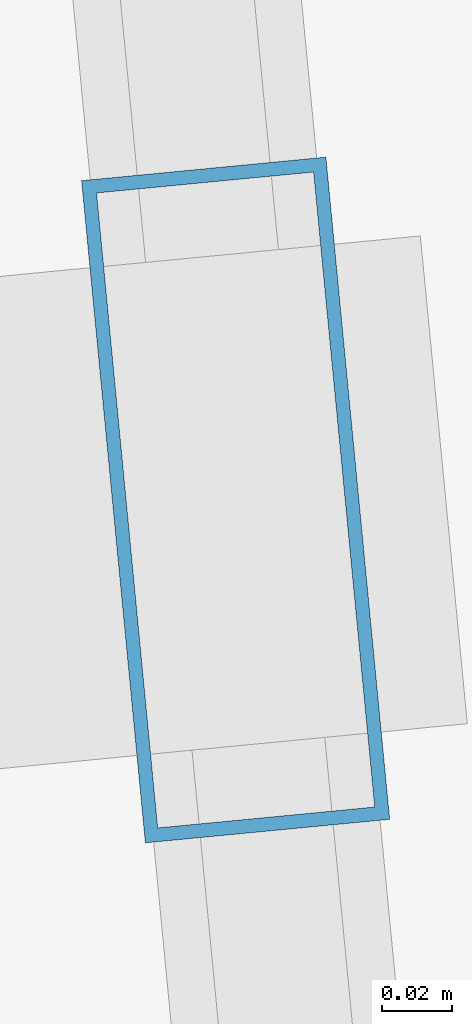
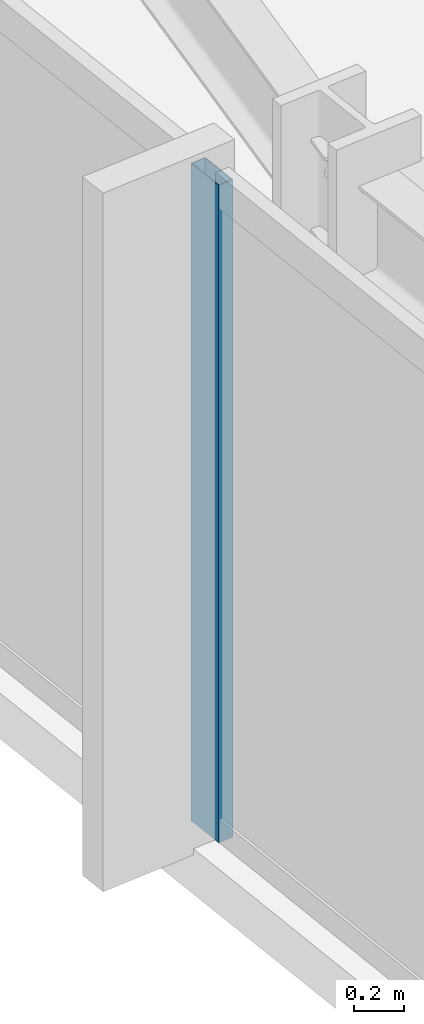
# One storey, part 8 of 32: 1 member, 1 element without a shape of its own.
"""IFC4 building model written with IfcOpenShell, lengths in metres."""

from ifc_helpers import new_model, si_unit, direction, frame, origin, origin_2d, place, context, subcontext, project, spatial, hollow_rectangle, extrude, material, material_profile, profile_set, type_object, element, aggregate, save


model = new_model("IFC4")

# Units and contexts
model_context = context("Model", 3, precision=1e-05, world=origin(), true_north=direction((0.0, 1.0)))
body_context = subcontext(model_context, "Body", "Model", "MODEL_VIEW")
ifc_project = project(units=[si_unit("LENGTHUNIT", "METRE"), si_unit("AREAUNIT", "SQUARE_METRE"), si_unit("VOLUMEUNIT", "CUBIC_METRE"), si_unit("PLANEANGLEUNIT", "RADIAN"), si_unit("MASSUNIT", "GRAM", prefix="KILO")], contexts=[model_context])

# Site, building, storey
site_placement = place(None, origin())
site = spatial("IfcSite", under=ifc_project, at=site_placement, CompositionType="ELEMENT")
building_placement = place(site_placement, origin())
building = spatial("IfcBuilding", under=site, at=building_placement, Name="Yelkora Congress Tower", CompositionType="ELEMENT")
storey_placement = place(building_placement, frame((0.0, 0.0, 116.89990234375)))
storey = spatial("IfcBuildingStorey", under=building, at=storey_placement, Name="L31", CompositionType="ELEMENT", Elevation=116.89990234375)

# Curtain wall, member
ifc_material_1 = material(Name="Anodised aluminium and insulated glass", Category="aluminium")
curtain_wall_type = type_object("IfcCurtainWallType", Name="CW-SYS-B2", PredefinedType="NOTDEFINED", material=ifc_material_1)
curtain_wall_placement = place(storey_placement, origin())
curtain_wall = element("IfcCurtainWall", 1, at=curtain_wall_placement, inside=storey, type_object=curtain_wall_type, Name="L31 Unitised Curtain Wall 5", PredefinedType="NOTDEFINED")
ifc_material_2 = material(Name="Anodised aluminium 6063-T6", Category="aluminium")
ifc_material_profile = material_profile(ifc_material_2, hollow_rectangle(XDim=0.070068359375, YDim=0.18994140625, WallThickness=0.00390625, at=origin_2d()), Name="ALU 70x190x4")
ifc_profile_set = profile_set([ifc_material_profile], Name="Anodised aluminium 6063-T6")
member_type = type_object("IfcMemberType", Name="MEM-ML-B2", PredefinedType="MULLION", material=ifc_profile_set)
member_placement = place(storey_placement, frame((14.47021484375, 35.0341796875, 0.0), z_axis=(0.0, 0.0, 1.0), x_axis=(-0.995396507508, -0.095842541913, 0.0)))
member = element("IfcMember", 2, at=member_placement, type_object=member_type, Name="CW-B2 mullion 4", PredefinedType="MULLION", context=body_context, shape_type="SweptSolid", body=[
    extrude(hollow_rectangle(XDim=0.070068359375, YDim=0.18994140625, WallThickness=0.00390625, at=origin_2d()), origin(), (0.0, 0.0, 1.0), 3.18017578125),
])
aggregate(curtain_wall, [member])

save(model, "model.ifc")
